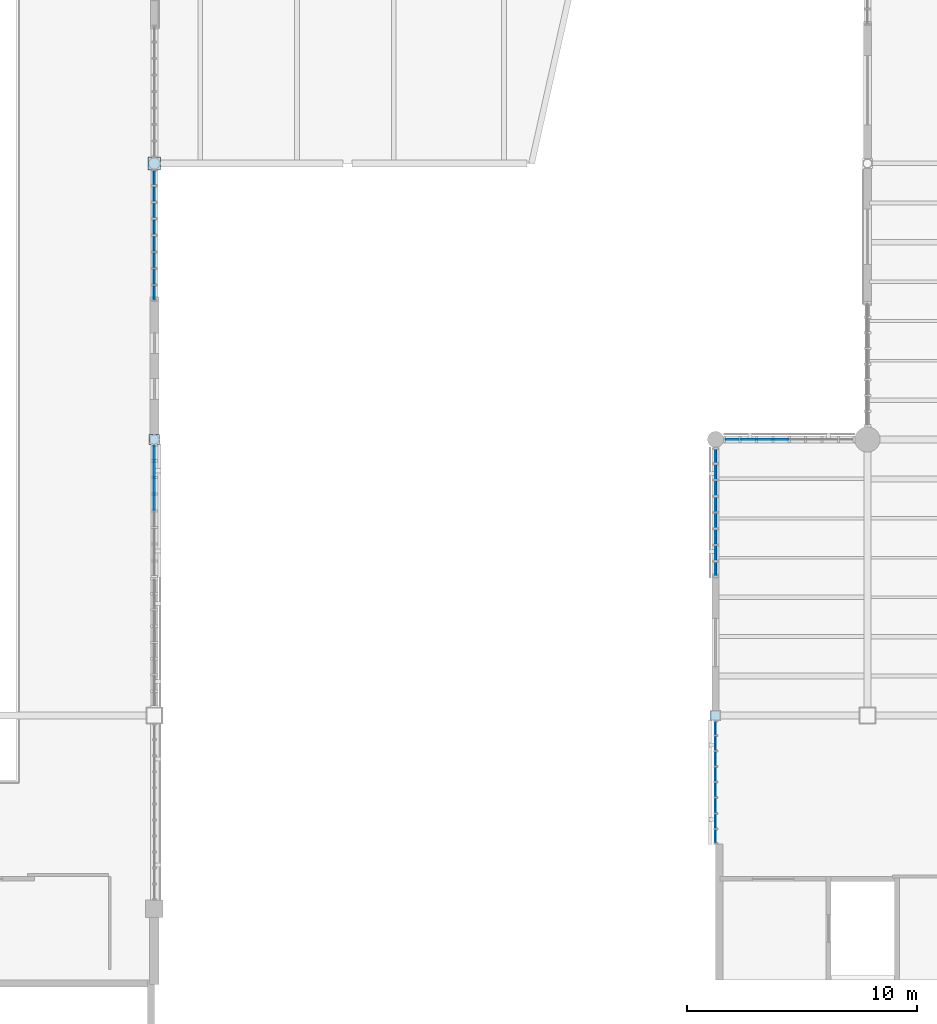
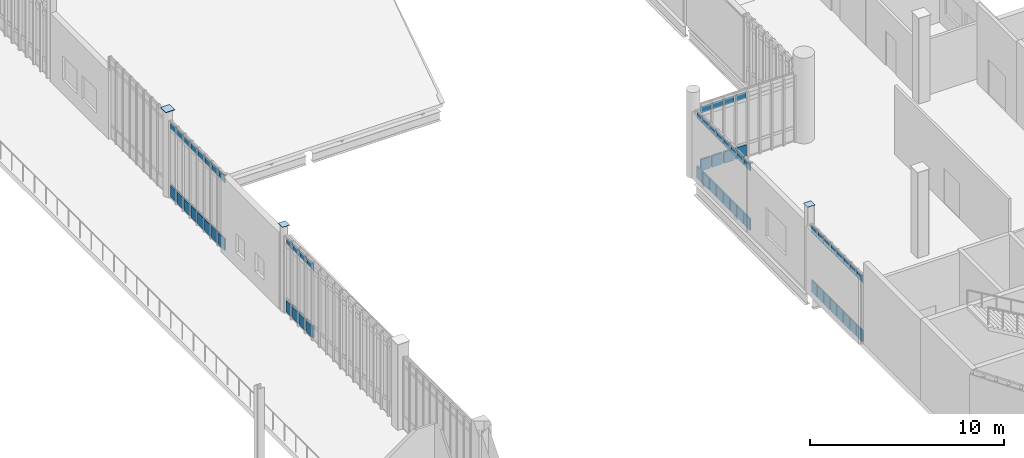
# One storey, part 96 of 135: 67 plates, 5 elements without a shape of their own.
"""IFC4 building model written with IfcOpenShell, lengths in metres."""

from ifc_helpers import new_model, si_unit, direction, frame, origin, origin_2d, place, context, subcontext, project, spatial, rectangle, extrude, material, layer, layer_set, type_object, element, aggregate, save


model = new_model("IFC4")

# Units and contexts
model_context = context("Model", 3, precision=1e-05, world=origin(), true_north=direction((0.0, 1.0)))
body_context = subcontext(model_context, "Body", "Model", "MODEL_VIEW")
ifc_project = project(units=[si_unit("LENGTHUNIT", "METRE"), si_unit("AREAUNIT", "SQUARE_METRE"), si_unit("VOLUMEUNIT", "CUBIC_METRE"), si_unit("PLANEANGLEUNIT", "RADIAN"), si_unit("MASSUNIT", "GRAM", prefix="KILO")], contexts=[model_context])

# Site, building, storey
site_placement = place(None, origin())
site = spatial("IfcSite", under=ifc_project, at=site_placement, CompositionType="ELEMENT")
building_placement = place(site_placement, origin())
building = spatial("IfcBuilding", under=site, at=building_placement, Name="Larkvane Passage Sports Hall", CompositionType="ELEMENT")
storey_placement = place(building_placement, frame((0.0, 0.0, 16.800048828125)))
storey = spatial("IfcBuildingStorey", under=building, at=storey_placement, Name="L03", CompositionType="ELEMENT", Elevation=16.800048828125)

# Curtain wall, plates
ifc_material_1 = material(Name="Thermally broken aluminium and low-E glazing", Category="aluminium")
curtain_wall_type_1 = type_object("IfcCurtainWallType", Name="CW-STICK-FOYER", PredefinedType="USERDEFINED", material=ifc_material_1)
curtain_wall_1_placement = place(storey_placement, origin())
curtain_wall_1 = element("IfcCurtainWall", 1, at=curtain_wall_1_placement, inside=storey, type_object=curtain_wall_type_1, Name="Curtain wall CW5-L03-122", ObjectType="STICK CURTAIN WALL", PredefinedType="USERDEFINED")
ifc_material_2 = material(Name="Fire-stopped shadow-box spandrel panel")
ifc_layer_1 = layer(ifc_material_2, 0.10498046875)
ifc_layer_set_1 = layer_set([ifc_layer_1], Name="Fire-stopped shadow-box spandrel panel")
plate_type_1 = type_object("IfcPlateType", Name="CWP-SPD-105", PredefinedType="CURTAIN_PANEL", material=ifc_layer_set_1)
plate_1_placement = place(storey_placement, frame((118.725341796875, 51.60009765625, 0.08984375), z_axis=(0.0, 0.0, 1.0), x_axis=(1.0, 0.0, 0.0)))
plate_1 = element("IfcPlate", 2, at=plate_1_placement, type_object=plate_type_1, Name="CW-03 panel 1.1", PredefinedType="CURTAIN_PANEL", context=body_context, shape_type="SweptSolid", body=[
    extrude(rectangle(XDim=0.57861328125, YDim=0.10498046875, at=origin_2d()), origin(), (0.0, 0.0, 1.0), 0.715087890625),
])
plate_2_placement = place(storey_placement, frame((119.416259765625, 51.60009765625, 0.08984375), z_axis=(0.0, 0.0, 1.0), x_axis=(1.0, 0.0, 0.0)))
plate_2 = element("IfcPlate", 3, at=plate_2_placement, type_object=plate_type_1, Name="CW-03 panel 2.1", PredefinedType="CURTAIN_PANEL", context=body_context, shape_type="SweptSolid", body=[
    extrude(rectangle(XDim=0.62353515625, YDim=0.10498046875, at=origin_2d()), origin(), (0.0, 0.0, 1.0), 0.715087890625),
])
plate_3_placement = place(storey_placement, frame((120.129638671875, 51.60009765625, 0.08984375), z_axis=(0.0, 0.0, 1.0), x_axis=(1.0, 0.0, 0.0)))
plate_3 = element("IfcPlate", 4, at=plate_3_placement, type_object=plate_type_1, Name="CW-03 panel 3.1", PredefinedType="CURTAIN_PANEL", context=body_context, shape_type="SweptSolid", body=[
    extrude(rectangle(XDim=0.62353515625, YDim=0.10498046875, at=origin_2d()), origin(), (0.0, 0.0, 1.0), 0.715087890625),
])
plate_4_placement = place(storey_placement, frame((120.84326171875, 51.60009765625, 0.08984375), z_axis=(0.0, 0.0, 1.0), x_axis=(1.0, 0.0, 0.0)))
plate_4 = element("IfcPlate", 5, at=plate_4_placement, type_object=plate_type_1, Name="CW-03 panel 4.1", PredefinedType="CURTAIN_PANEL", context=body_context, shape_type="SweptSolid", body=[
    extrude(rectangle(XDim=0.62353515625, YDim=0.10498046875, at=origin_2d()), origin(), (0.0, 0.0, 1.0), 0.715087890625),
])

curtain_wall_2_placement = place(storey_placement, origin())
curtain_wall_2 = element("IfcCurtainWall", 6, at=curtain_wall_2_placement, inside=storey, type_object=curtain_wall_type_1, Name="Curtain wall CW5-L03-146", ObjectType="STICK CURTAIN WALL", PredefinedType="USERDEFINED")
plate_5_placement = place(storey_placement, frame((93.60009765625, 51.015869140625, 0.08984375), z_axis=(0.0, 0.0, 1.0), x_axis=(0.0, -1.0, 0.0)))
plate_5 = element("IfcPlate", 7, at=plate_5_placement, type_object=plate_type_1, Name="CW-03 panel 1.1", PredefinedType="CURTAIN_PANEL", context=body_context, shape_type="SweptSolid", body=[
    extrude(rectangle(XDim=0.590087890625, YDim=0.10498046875, at=origin_2d()), origin(), (0.0, 0.0, 1.0), 0.715087890625),
])
plate_6_placement = place(storey_placement, frame((93.60009765625, 50.313232421875, 0.08984375), z_axis=(0.0, 0.0, 1.0), x_axis=(0.0, -1.0, 0.0)))
plate_6 = element("IfcPlate", 8, at=plate_6_placement, type_object=plate_type_1, Name="CW-03 panel 2.1", PredefinedType="CURTAIN_PANEL", context=body_context, shape_type="SweptSolid", body=[
    extrude(rectangle(XDim=0.635009765625, YDim=0.10498046875, at=origin_2d()), origin(), (0.0, 0.0, 1.0), 0.715087890625),
])
plate_7_placement = place(storey_placement, frame((93.60009765625, 49.588134765625, 0.08984375), z_axis=(0.0, 0.0, 1.0), x_axis=(0.0, -1.0, 0.0)))
plate_7 = element("IfcPlate", 9, at=plate_7_placement, type_object=plate_type_1, Name="CW-03 panel 3.1", PredefinedType="CURTAIN_PANEL", context=body_context, shape_type="SweptSolid", body=[
    extrude(rectangle(XDim=0.635009765625, YDim=0.10498046875, at=origin_2d()), origin(), (0.0, 0.0, 1.0), 0.715087890625),
])
plate_8_placement = place(storey_placement, frame((93.60009765625, 48.863037109375, 0.08984375), z_axis=(0.0, 0.0, 1.0), x_axis=(0.0, -1.0, 0.0)))
plate_8 = element("IfcPlate", 10, at=plate_8_placement, type_object=plate_type_1, Name="CW-03 panel 4.1", PredefinedType="CURTAIN_PANEL", context=body_context, shape_type="SweptSolid", body=[
    extrude(rectangle(XDim=0.635009765625, YDim=0.10498046875, at=origin_2d()), origin(), (0.0, 0.0, 1.0), 0.715087890625),
])

curtain_wall_type_2 = type_object("IfcCurtainWallType", Name="CW-UNIT-COURT", PredefinedType="USERDEFINED", material=ifc_material_1)
curtain_wall_3_placement = place(storey_placement, origin())
curtain_wall_3 = element("IfcCurtainWall", 11, at=curtain_wall_3_placement, inside=storey, type_object=curtain_wall_type_2, Name="Curtain wall CW5-L03-120", ObjectType="UNITISED CURTAIN WALL", PredefinedType="USERDEFINED")
ifc_material_3 = material(Name="Insulated aluminium spandrel panel", Category="aluminium")
ifc_layer_2 = layer(ifc_material_3, 0.06494140625)
ifc_layer_set_2 = layer_set([ifc_layer_2], Name="Insulated aluminium spandrel panel")
plate_type_2 = type_object("IfcPlateType", Name="CWP-SPD-65", PredefinedType="CURTAIN_PANEL", material=ifc_layer_set_2)
plate_9_placement = place(storey_placement, frame((118.0, 34.35400390625, 0.06494140625), z_axis=(0.0, 0.0, 1.0), x_axis=(0.0, 1.0, 0.0)))
plate_9 = element("IfcPlate", 12, at=plate_9_placement, type_object=plate_type_2, Name="CW-01 panel 1.1", PredefinedType="CURTAIN_PANEL", context=body_context, shape_type="SweptSolid", body=[
    extrude(rectangle(XDim=0.577880859375, YDim=0.06494140625, at=origin_2d()), origin(), (0.0, 0.0, 1.0), 0.75244140625),
])
plate_10_placement = place(storey_placement, frame((118.0, 35.01318359375, 0.06494140625), z_axis=(0.0, 0.0, 1.0), x_axis=(0.0, 1.0, 0.0)))
plate_10 = element("IfcPlate", 13, at=plate_10_placement, type_object=plate_type_2, Name="CW-01 panel 2.1", PredefinedType="CURTAIN_PANEL", context=body_context, shape_type="SweptSolid", body=[
    extrude(rectangle(XDim=0.610595703125, YDim=0.06494140625, at=origin_2d()), origin(), (0.0, 0.0, 1.0), 0.75244140625),
])
plate_11_placement = place(storey_placement, frame((118.0, 35.688720703125, 0.06494140625), z_axis=(0.0, 0.0, 1.0), x_axis=(0.0, 1.0, 0.0)))
plate_11 = element("IfcPlate", 14, at=plate_11_placement, type_object=plate_type_2, Name="CW-01 panel 3.1", PredefinedType="CURTAIN_PANEL", context=body_context, shape_type="SweptSolid", body=[
    extrude(rectangle(XDim=0.610595703125, YDim=0.06494140625, at=origin_2d()), origin(), (0.0, 0.0, 1.0), 0.75244140625),
])
plate_12_placement = place(storey_placement, frame((118.0, 36.3642578125, 0.06494140625), z_axis=(0.0, 0.0, 1.0), x_axis=(0.0, 1.0, 0.0)))
plate_12 = element("IfcPlate", 15, at=plate_12_placement, type_object=plate_type_2, Name="CW-01 panel 4.1", PredefinedType="CURTAIN_PANEL", context=body_context, shape_type="SweptSolid", body=[
    extrude(rectangle(XDim=0.610595703125, YDim=0.06494140625, at=origin_2d()), origin(), (0.0, 0.0, 1.0), 0.75244140625),
])
plate_13_placement = place(storey_placement, frame((118.0, 37.039794921875, 0.06494140625), z_axis=(0.0, 0.0, 1.0), x_axis=(0.0, 1.0, 0.0)))
plate_13 = element("IfcPlate", 16, at=plate_13_placement, type_object=plate_type_2, Name="CW-01 panel 5.1", PredefinedType="CURTAIN_PANEL", context=body_context, shape_type="SweptSolid", body=[
    extrude(rectangle(XDim=0.610595703125, YDim=0.06494140625, at=origin_2d()), origin(), (0.0, 0.0, 1.0), 0.75244140625),
])
plate_14_placement = place(storey_placement, frame((118.0, 37.71533203125, 0.06494140625), z_axis=(0.0, 0.0, 1.0), x_axis=(0.0, 1.0, 0.0)))
plate_14 = element("IfcPlate", 17, at=plate_14_placement, type_object=plate_type_2, Name="CW-01 panel 6.1", PredefinedType="CURTAIN_PANEL", context=body_context, shape_type="SweptSolid", body=[
    extrude(rectangle(XDim=0.610595703125, YDim=0.06494140625, at=origin_2d()), origin(), (0.0, 0.0, 1.0), 0.75244140625),
])
plate_15_placement = place(storey_placement, frame((118.0, 38.390869140625, 0.06494140625), z_axis=(0.0, 0.0, 1.0), x_axis=(0.0, 1.0, 0.0)))
plate_15 = element("IfcPlate", 18, at=plate_15_placement, type_object=plate_type_2, Name="CW-01 panel 7.1", PredefinedType="CURTAIN_PANEL", context=body_context, shape_type="SweptSolid", body=[
    extrude(rectangle(XDim=0.610595703125, YDim=0.06494140625, at=origin_2d()), origin(), (0.0, 0.0, 1.0), 0.75244140625),
])
plate_16_placement = place(storey_placement, frame((118.0, 39.050048828125, 0.06494140625), z_axis=(0.0, 0.0, 1.0), x_axis=(0.0, 1.0, 0.0)))
plate_16 = element("IfcPlate", 19, at=plate_16_placement, type_object=plate_type_2, Name="CW-01 panel 8.1", PredefinedType="CURTAIN_PANEL", context=body_context, shape_type="SweptSolid", body=[
    extrude(rectangle(XDim=0.577880859375, YDim=0.06494140625, at=origin_2d()), origin(), (0.0, 0.0, 1.0), 0.75244140625),
])

curtain_wall_type_3 = type_object("IfcCurtainWallType", Name="CW-UNIT-VEIL", PredefinedType="USERDEFINED", material=ifc_material_1)
curtain_wall_4_placement = place(storey_placement, origin())
curtain_wall_4 = element("IfcCurtainWall", 20, at=curtain_wall_4_placement, inside=storey, type_object=curtain_wall_type_3, Name="Curtain wall CW5-L03-121", ObjectType="UNITISED CURTAIN WALL", PredefinedType="USERDEFINED")
ifc_material_4 = material(Name="Mineral-wool insulated spandrel cassette")
ifc_layer_3 = layer(ifc_material_4, 0.0849609375)
ifc_layer_set_3 = layer_set([ifc_layer_3], Name="Mineral-wool insulated spandrel cassette")
plate_type_3 = type_object("IfcPlateType", Name="CWP-SPD-85", PredefinedType="CURTAIN_PANEL", material=ifc_layer_set_3)
plate_17_placement = place(storey_placement, frame((118.0, 45.97216796875, 0.07470703125), z_axis=(0.0, 0.0, 1.0), x_axis=(0.0, 1.0, 0.0)))
plate_17 = element("IfcPlate", 21, at=plate_17_placement, type_object=plate_type_3, Name="CW-02 panel 1.1", PredefinedType="CURTAIN_PANEL", context=body_context, shape_type="SweptSolid", body=[
    extrude(rectangle(XDim=0.59423828125, YDim=0.0849609375, at=origin_2d()), origin(), (0.0, 0.0, 1.0), 0.737548828125),
])
plate_18_placement = place(storey_placement, frame((118.0, 46.66015625, 0.07470703125), z_axis=(0.0, 0.0, 1.0), x_axis=(0.0, 1.0, 0.0)))
plate_18 = element("IfcPlate", 22, at=plate_18_placement, type_object=plate_type_3, Name="CW-02 panel 2.1", PredefinedType="CURTAIN_PANEL", context=body_context, shape_type="SweptSolid", body=[
    extrude(rectangle(XDim=0.6318359375, YDim=0.0849609375, at=origin_2d()), origin(), (0.0, 0.0, 1.0), 0.737548828125),
])
plate_19_placement = place(storey_placement, frame((118.0, 47.366943359375, 0.07470703125), z_axis=(0.0, 0.0, 1.0), x_axis=(0.0, 1.0, 0.0)))
plate_19 = element("IfcPlate", 23, at=plate_19_placement, type_object=plate_type_3, Name="CW-02 panel 3.1", PredefinedType="CURTAIN_PANEL", context=body_context, shape_type="SweptSolid", body=[
    extrude(rectangle(XDim=0.6318359375, YDim=0.0849609375, at=origin_2d()), origin(), (0.0, 0.0, 1.0), 0.737548828125),
])
plate_20_placement = place(storey_placement, frame((118.0, 48.07373046875, 0.07470703125), z_axis=(0.0, 0.0, 1.0), x_axis=(0.0, 1.0, 0.0)))
plate_20 = element("IfcPlate", 24, at=plate_20_placement, type_object=plate_type_3, Name="CW-02 panel 4.1", PredefinedType="CURTAIN_PANEL", context=body_context, shape_type="SweptSolid", body=[
    extrude(rectangle(XDim=0.6318359375, YDim=0.0849609375, at=origin_2d()), origin(), (0.0, 0.0, 1.0), 0.737548828125),
])
plate_21_placement = place(storey_placement, frame((118.0, 48.7802734375, 0.07470703125), z_axis=(0.0, 0.0, 1.0), x_axis=(0.0, 1.0, 0.0)))
plate_21 = element("IfcPlate", 25, at=plate_21_placement, type_object=plate_type_3, Name="CW-02 panel 5.1", PredefinedType="CURTAIN_PANEL", context=body_context, shape_type="SweptSolid", body=[
    extrude(rectangle(XDim=0.6318359375, YDim=0.0849609375, at=origin_2d()), origin(), (0.0, 0.0, 1.0), 0.737548828125),
])
plate_22_placement = place(storey_placement, frame((118.0, 49.487060546875, 0.07470703125), z_axis=(0.0, 0.0, 1.0), x_axis=(0.0, 1.0, 0.0)))
plate_22 = element("IfcPlate", 26, at=plate_22_placement, type_object=plate_type_3, Name="CW-02 panel 6.1", PredefinedType="CURTAIN_PANEL", context=body_context, shape_type="SweptSolid", body=[
    extrude(rectangle(XDim=0.6318359375, YDim=0.0849609375, at=origin_2d()), origin(), (0.0, 0.0, 1.0), 0.737548828125),
])
plate_23_placement = place(storey_placement, frame((118.0, 50.19384765625, 0.07470703125), z_axis=(0.0, 0.0, 1.0), x_axis=(0.0, 1.0, 0.0)))
plate_23 = element("IfcPlate", 27, at=plate_23_placement, type_object=plate_type_3, Name="CW-02 panel 7.1", PredefinedType="CURTAIN_PANEL", context=body_context, shape_type="SweptSolid", body=[
    extrude(rectangle(XDim=0.6318359375, YDim=0.0849609375, at=origin_2d()), origin(), (0.0, 0.0, 1.0), 0.737548828125),
])
plate_24_placement = place(storey_placement, frame((118.0, 50.8818359375, 0.07470703125), z_axis=(0.0, 0.0, 1.0), x_axis=(0.0, 1.0, 0.0)))
plate_24 = element("IfcPlate", 28, at=plate_24_placement, type_object=plate_type_3, Name="CW-02 panel 8.1", PredefinedType="CURTAIN_PANEL", context=body_context, shape_type="SweptSolid", body=[
    extrude(rectangle(XDim=0.59423828125, YDim=0.0849609375, at=origin_2d()), origin(), (0.0, 0.0, 1.0), 0.737548828125),
])

curtain_wall_5_placement = place(storey_placement, origin())
curtain_wall_5 = element("IfcCurtainWall", 29, at=curtain_wall_5_placement, inside=storey, type_object=curtain_wall_type_3, Name="Curtain wall CW5-L03-145", ObjectType="UNITISED CURTAIN WALL", PredefinedType="USERDEFINED")
plate_25_placement = place(storey_placement, frame((93.60009765625, 62.971923828125, 0.07470703125), z_axis=(0.0, 0.0, 1.0), x_axis=(0.0, -1.0, 0.0)))
plate_25 = element("IfcPlate", 30, at=plate_25_placement, type_object=plate_type_3, Name="CW-02 panel 1.1", PredefinedType="CURTAIN_PANEL", context=body_context, shape_type="SweptSolid", body=[
    extrude(rectangle(XDim=0.606201171875, YDim=0.0849609375, at=origin_2d()), origin(), (0.0, 0.0, 1.0), 0.737548828125),
])
plate_26_placement = place(storey_placement, frame((93.60009765625, 62.27197265625, 0.07470703125), z_axis=(0.0, 0.0, 1.0), x_axis=(0.0, -1.0, 0.0)))
plate_26 = element("IfcPlate", 31, at=plate_26_placement, type_object=plate_type_3, Name="CW-02 panel 2.1", PredefinedType="CURTAIN_PANEL", context=body_context, shape_type="SweptSolid", body=[
    extrude(rectangle(XDim=0.643798828125, YDim=0.0849609375, at=origin_2d()), origin(), (0.0, 0.0, 1.0), 0.737548828125),
])
plate_27_placement = place(storey_placement, frame((93.60009765625, 61.55322265625, 0.07470703125), z_axis=(0.0, 0.0, 1.0), x_axis=(0.0, -1.0, 0.0)))
plate_27 = element("IfcPlate", 32, at=plate_27_placement, type_object=plate_type_3, Name="CW-02 panel 3.1", PredefinedType="CURTAIN_PANEL", context=body_context, shape_type="SweptSolid", body=[
    extrude(rectangle(XDim=0.643798828125, YDim=0.0849609375, at=origin_2d()), origin(), (0.0, 0.0, 1.0), 0.737548828125),
])
plate_28_placement = place(storey_placement, frame((93.60009765625, 60.83447265625, 0.07470703125), z_axis=(0.0, 0.0, 1.0), x_axis=(0.0, -1.0, 0.0)))
plate_28 = element("IfcPlate", 33, at=plate_28_placement, type_object=plate_type_3, Name="CW-02 panel 4.1", PredefinedType="CURTAIN_PANEL", context=body_context, shape_type="SweptSolid", body=[
    extrude(rectangle(XDim=0.643798828125, YDim=0.0849609375, at=origin_2d()), origin(), (0.0, 0.0, 1.0), 0.737548828125),
])
plate_29_placement = place(storey_placement, frame((93.60009765625, 60.11572265625, 0.07470703125), z_axis=(0.0, 0.0, 1.0), x_axis=(0.0, -1.0, 0.0)))
plate_29 = element("IfcPlate", 34, at=plate_29_placement, type_object=plate_type_3, Name="CW-02 panel 5.1", PredefinedType="CURTAIN_PANEL", context=body_context, shape_type="SweptSolid", body=[
    extrude(rectangle(XDim=0.643798828125, YDim=0.0849609375, at=origin_2d()), origin(), (0.0, 0.0, 1.0), 0.737548828125),
])
plate_30_placement = place(storey_placement, frame((93.60009765625, 59.39697265625, 0.07470703125), z_axis=(0.0, 0.0, 1.0), x_axis=(0.0, -1.0, 0.0)))
plate_30 = element("IfcPlate", 35, at=plate_30_placement, type_object=plate_type_3, Name="CW-02 panel 6.1", PredefinedType="CURTAIN_PANEL", context=body_context, shape_type="SweptSolid", body=[
    extrude(rectangle(XDim=0.643798828125, YDim=0.0849609375, at=origin_2d()), origin(), (0.0, 0.0, 1.0), 0.737548828125),
])
plate_31_placement = place(storey_placement, frame((93.60009765625, 58.67822265625, 0.07470703125), z_axis=(0.0, 0.0, 1.0), x_axis=(0.0, -1.0, 0.0)))
plate_31 = element("IfcPlate", 36, at=plate_31_placement, type_object=plate_type_3, Name="CW-02 panel 7.1", PredefinedType="CURTAIN_PANEL", context=body_context, shape_type="SweptSolid", body=[
    extrude(rectangle(XDim=0.643798828125, YDim=0.0849609375, at=origin_2d()), origin(), (0.0, 0.0, 1.0), 0.737548828125),
])
plate_32_placement = place(storey_placement, frame((93.60009765625, 57.97802734375, 0.07470703125), z_axis=(0.0, 0.0, 1.0), x_axis=(0.0, -1.0, 0.0)))
plate_32 = element("IfcPlate", 37, at=plate_32_placement, type_object=plate_type_3, Name="CW-02 panel 8.1", PredefinedType="CURTAIN_PANEL", context=body_context, shape_type="SweptSolid", body=[
    extrude(rectangle(XDim=0.606201171875, YDim=0.0849609375, at=origin_2d()), origin(), (0.0, 0.0, 1.0), 0.737548828125),
])

# Plate
ifc_material_5 = material(Name="Solar-control low-E double glazing", Category="glass")
ifc_layer_4 = layer(ifc_material_5, 0.028076171875)
ifc_layer_set_4 = layer_set([ifc_layer_4], Name="Solar-control low-E double glazing")
plate_type_4 = type_object("IfcPlateType", Name="CWP-VIS-28", PredefinedType="CURTAIN_PANEL", material=ifc_layer_set_4)
plate_33_placement = place(storey_placement, frame((118.0, 34.35400390625, 3.79833984375), z_axis=(0.0, 0.0, 1.0), x_axis=(0.0, 1.0, 0.0)))
plate_33 = element("IfcPlate", 38, at=plate_33_placement, type_object=plate_type_4, Name="CW-01 panel 1.3", PredefinedType="CURTAIN_PANEL", context=body_context, shape_type="SweptSolid", body=[
    extrude(rectangle(XDim=0.577880859375, YDim=0.028076171875, at=origin_2d()), origin(), (0.0, 0.0, 1.0), 0.452392578125),
])

plate_34_placement = place(storey_placement, frame((118.0, 35.01318359375, 3.79833984375), z_axis=(0.0, 0.0, 1.0), x_axis=(0.0, 1.0, 0.0)))
plate_34 = element("IfcPlate", 39, at=plate_34_placement, type_object=plate_type_4, Name="CW-01 panel 2.3", PredefinedType="CURTAIN_PANEL", context=body_context, shape_type="SweptSolid", body=[
    extrude(rectangle(XDim=0.610595703125, YDim=0.028076171875, at=origin_2d()), origin(), (0.0, 0.0, 1.0), 0.452392578125),
])

plate_35_placement = place(storey_placement, frame((118.0, 35.688720703125, 3.79833984375), z_axis=(0.0, 0.0, 1.0), x_axis=(0.0, 1.0, 0.0)))
plate_35 = element("IfcPlate", 40, at=plate_35_placement, type_object=plate_type_4, Name="CW-01 panel 3.3", PredefinedType="CURTAIN_PANEL", context=body_context, shape_type="SweptSolid", body=[
    extrude(rectangle(XDim=0.610595703125, YDim=0.028076171875, at=origin_2d()), origin(), (0.0, 0.0, 1.0), 0.452392578125),
])

plate_36_placement = place(storey_placement, frame((118.0, 36.3642578125, 3.79833984375), z_axis=(0.0, 0.0, 1.0), x_axis=(0.0, 1.0, 0.0)))
plate_36 = element("IfcPlate", 41, at=plate_36_placement, type_object=plate_type_4, Name="CW-01 panel 4.3", PredefinedType="CURTAIN_PANEL", context=body_context, shape_type="SweptSolid", body=[
    extrude(rectangle(XDim=0.610595703125, YDim=0.028076171875, at=origin_2d()), origin(), (0.0, 0.0, 1.0), 0.452392578125),
])

plate_37_placement = place(storey_placement, frame((118.0, 37.039794921875, 3.79833984375), z_axis=(0.0, 0.0, 1.0), x_axis=(0.0, 1.0, 0.0)))
plate_37 = element("IfcPlate", 42, at=plate_37_placement, type_object=plate_type_4, Name="CW-01 panel 5.3", PredefinedType="CURTAIN_PANEL", context=body_context, shape_type="SweptSolid", body=[
    extrude(rectangle(XDim=0.610595703125, YDim=0.028076171875, at=origin_2d()), origin(), (0.0, 0.0, 1.0), 0.452392578125),
])

plate_38_placement = place(storey_placement, frame((118.0, 37.71533203125, 3.79833984375), z_axis=(0.0, 0.0, 1.0), x_axis=(0.0, 1.0, 0.0)))
plate_38 = element("IfcPlate", 43, at=plate_38_placement, type_object=plate_type_4, Name="CW-01 panel 6.3", PredefinedType="CURTAIN_PANEL", context=body_context, shape_type="SweptSolid", body=[
    extrude(rectangle(XDim=0.610595703125, YDim=0.028076171875, at=origin_2d()), origin(), (0.0, 0.0, 1.0), 0.452392578125),
])

plate_39_placement = place(storey_placement, frame((118.0, 38.390869140625, 3.79833984375), z_axis=(0.0, 0.0, 1.0), x_axis=(0.0, 1.0, 0.0)))
plate_39 = element("IfcPlate", 44, at=plate_39_placement, type_object=plate_type_4, Name="CW-01 panel 7.3", PredefinedType="CURTAIN_PANEL", context=body_context, shape_type="SweptSolid", body=[
    extrude(rectangle(XDim=0.610595703125, YDim=0.028076171875, at=origin_2d()), origin(), (0.0, 0.0, 1.0), 0.452392578125),
])

plate_40_placement = place(storey_placement, frame((118.0, 39.050048828125, 3.79833984375), z_axis=(0.0, 0.0, 1.0), x_axis=(0.0, 1.0, 0.0)))
plate_40 = element("IfcPlate", 45, at=plate_40_placement, type_object=plate_type_4, Name="CW-01 panel 8.3", PredefinedType="CURTAIN_PANEL", context=body_context, shape_type="SweptSolid", body=[
    extrude(rectangle(XDim=0.577880859375, YDim=0.028076171875, at=origin_2d()), origin(), (0.0, 0.0, 1.0), 0.452392578125),
])

aggregate(curtain_wall_3, [plate_9, plate_33, plate_10, plate_34, plate_11, plate_35, plate_12, plate_36, plate_13, plate_37, plate_14, plate_38, plate_15, plate_39, plate_16, plate_40])

ifc_material_6 = material(Name="Laminated acoustic low-E glazing", Category="glass")
ifc_layer_5 = layer(ifc_material_6, 0.031982421875)
ifc_layer_set_5 = layer_set([ifc_layer_5], Name="Laminated acoustic low-E glazing")
plate_type_5 = type_object("IfcPlateType", Name="CWP-VIS-32", PredefinedType="CURTAIN_PANEL", material=ifc_layer_set_5)
plate_41_placement = place(storey_placement, frame((118.0, 45.97216796875, 3.803466796875), z_axis=(0.0, 0.0, 1.0), x_axis=(0.0, 1.0, 0.0)))
plate_41 = element("IfcPlate", 46, at=plate_41_placement, type_object=plate_type_5, Name="CW-02 panel 1.3", PredefinedType="CURTAIN_PANEL", context=body_context, shape_type="SweptSolid", body=[
    extrude(rectangle(XDim=0.59423828125, YDim=0.031982421875, at=origin_2d()), origin(), (0.0, 0.0, 1.0), 0.4375),
])

plate_42_placement = place(storey_placement, frame((118.0, 46.66015625, 3.803466796875), z_axis=(0.0, 0.0, 1.0), x_axis=(0.0, 1.0, 0.0)))
plate_42 = element("IfcPlate", 47, at=plate_42_placement, type_object=plate_type_5, Name="CW-02 panel 2.3", PredefinedType="CURTAIN_PANEL", context=body_context, shape_type="SweptSolid", body=[
    extrude(rectangle(XDim=0.6318359375, YDim=0.031982421875, at=origin_2d()), origin(), (0.0, 0.0, 1.0), 0.4375),
])

plate_43_placement = place(storey_placement, frame((118.0, 47.366943359375, 3.803466796875), z_axis=(0.0, 0.0, 1.0), x_axis=(0.0, 1.0, 0.0)))
plate_43 = element("IfcPlate", 48, at=plate_43_placement, type_object=plate_type_5, Name="CW-02 panel 3.3", PredefinedType="CURTAIN_PANEL", context=body_context, shape_type="SweptSolid", body=[
    extrude(rectangle(XDim=0.6318359375, YDim=0.031982421875, at=origin_2d()), origin(), (0.0, 0.0, 1.0), 0.4375),
])

plate_44_placement = place(storey_placement, frame((118.0, 48.07373046875, 3.803466796875), z_axis=(0.0, 0.0, 1.0), x_axis=(0.0, 1.0, 0.0)))
plate_44 = element("IfcPlate", 49, at=plate_44_placement, type_object=plate_type_5, Name="CW-02 panel 4.3", PredefinedType="CURTAIN_PANEL", context=body_context, shape_type="SweptSolid", body=[
    extrude(rectangle(XDim=0.6318359375, YDim=0.031982421875, at=origin_2d()), origin(), (0.0, 0.0, 1.0), 0.4375),
])

plate_45_placement = place(storey_placement, frame((118.0, 48.7802734375, 3.803466796875), z_axis=(0.0, 0.0, 1.0), x_axis=(0.0, 1.0, 0.0)))
plate_45 = element("IfcPlate", 50, at=plate_45_placement, type_object=plate_type_5, Name="CW-02 panel 5.3", PredefinedType="CURTAIN_PANEL", context=body_context, shape_type="SweptSolid", body=[
    extrude(rectangle(XDim=0.6318359375, YDim=0.031982421875, at=origin_2d()), origin(), (0.0, 0.0, 1.0), 0.4375),
])

plate_46_placement = place(storey_placement, frame((118.0, 49.487060546875, 3.803466796875), z_axis=(0.0, 0.0, 1.0), x_axis=(0.0, 1.0, 0.0)))
plate_46 = element("IfcPlate", 51, at=plate_46_placement, type_object=plate_type_5, Name="CW-02 panel 6.3", PredefinedType="CURTAIN_PANEL", context=body_context, shape_type="SweptSolid", body=[
    extrude(rectangle(XDim=0.6318359375, YDim=0.031982421875, at=origin_2d()), origin(), (0.0, 0.0, 1.0), 0.4375),
])

plate_47_placement = place(storey_placement, frame((118.0, 50.19384765625, 3.803466796875), z_axis=(0.0, 0.0, 1.0), x_axis=(0.0, 1.0, 0.0)))
plate_47 = element("IfcPlate", 52, at=plate_47_placement, type_object=plate_type_5, Name="CW-02 panel 7.3", PredefinedType="CURTAIN_PANEL", context=body_context, shape_type="SweptSolid", body=[
    extrude(rectangle(XDim=0.6318359375, YDim=0.031982421875, at=origin_2d()), origin(), (0.0, 0.0, 1.0), 0.4375),
])

plate_48_placement = place(storey_placement, frame((118.0, 50.8818359375, 3.803466796875), z_axis=(0.0, 0.0, 1.0), x_axis=(0.0, 1.0, 0.0)))
plate_48 = element("IfcPlate", 53, at=plate_48_placement, type_object=plate_type_5, Name="CW-02 panel 8.3", PredefinedType="CURTAIN_PANEL", context=body_context, shape_type="SweptSolid", body=[
    extrude(rectangle(XDim=0.59423828125, YDim=0.031982421875, at=origin_2d()), origin(), (0.0, 0.0, 1.0), 0.4375),
])

aggregate(curtain_wall_4, [plate_17, plate_41, plate_18, plate_42, plate_19, plate_43, plate_20, plate_44, plate_21, plate_45, plate_22, plate_46, plate_23, plate_47, plate_24, plate_48])

plate_49_placement = place(storey_placement, frame((93.60009765625, 62.971923828125, 4.33056640625), z_axis=(0.0, 0.0, 1.0), x_axis=(0.0, -1.0, 0.0)))
plate_49 = element("IfcPlate", 54, at=plate_49_placement, type_object=plate_type_5, Name="CW-02 panel 1.3", PredefinedType="CURTAIN_PANEL", context=body_context, shape_type="SweptSolid", body=[
    extrude(rectangle(XDim=0.606201171875, YDim=0.031982421875, at=origin_2d()), origin(), (0.0, 0.0, 1.0), 0.4375),
])

plate_50_placement = place(storey_placement, frame((93.60009765625, 62.27197265625, 4.33056640625), z_axis=(0.0, 0.0, 1.0), x_axis=(0.0, -1.0, 0.0)))
plate_50 = element("IfcPlate", 55, at=plate_50_placement, type_object=plate_type_5, Name="CW-02 panel 2.3", PredefinedType="CURTAIN_PANEL", context=body_context, shape_type="SweptSolid", body=[
    extrude(rectangle(XDim=0.643798828125, YDim=0.031982421875, at=origin_2d()), origin(), (0.0, 0.0, 1.0), 0.4375),
])

plate_51_placement = place(storey_placement, frame((93.60009765625, 61.55322265625, 4.33056640625), z_axis=(0.0, 0.0, 1.0), x_axis=(0.0, -1.0, 0.0)))
plate_51 = element("IfcPlate", 56, at=plate_51_placement, type_object=plate_type_5, Name="CW-02 panel 3.3", PredefinedType="CURTAIN_PANEL", context=body_context, shape_type="SweptSolid", body=[
    extrude(rectangle(XDim=0.643798828125, YDim=0.031982421875, at=origin_2d()), origin(), (0.0, 0.0, 1.0), 0.4375),
])

plate_52_placement = place(storey_placement, frame((93.60009765625, 60.83447265625, 4.33056640625), z_axis=(0.0, 0.0, 1.0), x_axis=(0.0, -1.0, 0.0)))
plate_52 = element("IfcPlate", 57, at=plate_52_placement, type_object=plate_type_5, Name="CW-02 panel 4.3", PredefinedType="CURTAIN_PANEL", context=body_context, shape_type="SweptSolid", body=[
    extrude(rectangle(XDim=0.643798828125, YDim=0.031982421875, at=origin_2d()), origin(), (0.0, 0.0, 1.0), 0.4375),
])

plate_53_placement = place(storey_placement, frame((93.60009765625, 60.11572265625, 4.33056640625), z_axis=(0.0, 0.0, 1.0), x_axis=(0.0, -1.0, 0.0)))
plate_53 = element("IfcPlate", 58, at=plate_53_placement, type_object=plate_type_5, Name="CW-02 panel 5.3", PredefinedType="CURTAIN_PANEL", context=body_context, shape_type="SweptSolid", body=[
    extrude(rectangle(XDim=0.643798828125, YDim=0.031982421875, at=origin_2d()), origin(), (0.0, 0.0, 1.0), 0.4375),
])

plate_54_placement = place(storey_placement, frame((93.60009765625, 59.39697265625, 4.33056640625), z_axis=(0.0, 0.0, 1.0), x_axis=(0.0, -1.0, 0.0)))
plate_54 = element("IfcPlate", 59, at=plate_54_placement, type_object=plate_type_5, Name="CW-02 panel 6.3", PredefinedType="CURTAIN_PANEL", context=body_context, shape_type="SweptSolid", body=[
    extrude(rectangle(XDim=0.643798828125, YDim=0.031982421875, at=origin_2d()), origin(), (0.0, 0.0, 1.0), 0.4375),
])

plate_55_placement = place(storey_placement, frame((93.60009765625, 58.67822265625, 4.33056640625), z_axis=(0.0, 0.0, 1.0), x_axis=(0.0, -1.0, 0.0)))
plate_55 = element("IfcPlate", 60, at=plate_55_placement, type_object=plate_type_5, Name="CW-02 panel 7.3", PredefinedType="CURTAIN_PANEL", context=body_context, shape_type="SweptSolid", body=[
    extrude(rectangle(XDim=0.643798828125, YDim=0.031982421875, at=origin_2d()), origin(), (0.0, 0.0, 1.0), 0.4375),
])

plate_56_placement = place(storey_placement, frame((93.60009765625, 57.97802734375, 4.33056640625), z_axis=(0.0, 0.0, 1.0), x_axis=(0.0, -1.0, 0.0)))
plate_56 = element("IfcPlate", 61, at=plate_56_placement, type_object=plate_type_5, Name="CW-02 panel 8.3", PredefinedType="CURTAIN_PANEL", context=body_context, shape_type="SweptSolid", body=[
    extrude(rectangle(XDim=0.606201171875, YDim=0.031982421875, at=origin_2d()), origin(), (0.0, 0.0, 1.0), 0.4375),
])

aggregate(curtain_wall_5, [plate_25, plate_49, plate_26, plate_50, plate_27, plate_51, plate_28, plate_52, plate_29, plate_53, plate_30, plate_54, plate_31, plate_55, plate_32, plate_56])

ifc_material_7 = material(Name="High-impact court low-E glazing", Category="glass")
ifc_layer_6 = layer(ifc_material_7, 0.035888671875)
ifc_layer_set_6 = layer_set([ifc_layer_6], Name="High-impact court low-E glazing")
plate_type_6 = type_object("IfcPlateType", Name="CWP-VIS-36", PredefinedType="CURTAIN_PANEL", material=ifc_layer_set_6)
plate_57_placement = place(storey_placement, frame((118.725341796875, 51.60009765625, 3.7109375), z_axis=(0.0, 0.0, 1.0), x_axis=(1.0, 0.0, 0.0)))
plate_57 = element("IfcPlate", 62, at=plate_57_placement, type_object=plate_type_6, Name="CW-03 panel 1.3", PredefinedType="CURTAIN_PANEL", context=body_context, shape_type="SweptSolid", body=[
    extrude(rectangle(XDim=0.57861328125, YDim=0.035888671875, at=origin_2d()), origin(), (0.0, 0.0, 1.0), 0.4150390625),
])

plate_58_placement = place(storey_placement, frame((119.416259765625, 51.60009765625, 3.7109375), z_axis=(0.0, 0.0, 1.0), x_axis=(1.0, 0.0, 0.0)))
plate_58 = element("IfcPlate", 63, at=plate_58_placement, type_object=plate_type_6, Name="CW-03 panel 2.3", PredefinedType="CURTAIN_PANEL", context=body_context, shape_type="SweptSolid", body=[
    extrude(rectangle(XDim=0.62353515625, YDim=0.035888671875, at=origin_2d()), origin(), (0.0, 0.0, 1.0), 0.4150390625),
])

plate_59_placement = place(storey_placement, frame((120.129638671875, 51.60009765625, 3.7109375), z_axis=(0.0, 0.0, 1.0), x_axis=(1.0, 0.0, 0.0)))
plate_59 = element("IfcPlate", 64, at=plate_59_placement, type_object=plate_type_6, Name="CW-03 panel 3.3", PredefinedType="CURTAIN_PANEL", context=body_context, shape_type="SweptSolid", body=[
    extrude(rectangle(XDim=0.62353515625, YDim=0.035888671875, at=origin_2d()), origin(), (0.0, 0.0, 1.0), 0.4150390625),
])

plate_60_placement = place(storey_placement, frame((120.84326171875, 51.60009765625, 3.7109375), z_axis=(0.0, 0.0, 1.0), x_axis=(1.0, 0.0, 0.0)))
plate_60 = element("IfcPlate", 65, at=plate_60_placement, type_object=plate_type_6, Name="CW-03 panel 4.3", PredefinedType="CURTAIN_PANEL", context=body_context, shape_type="SweptSolid", body=[
    extrude(rectangle(XDim=0.62353515625, YDim=0.035888671875, at=origin_2d()), origin(), (0.0, 0.0, 1.0), 0.4150390625),
])

aggregate(curtain_wall_1, [plate_1, plate_57, plate_2, plate_58, plate_3, plate_59, plate_4, plate_60])

plate_61_placement = place(storey_placement, frame((93.60009765625, 51.015869140625, 4.337890625), z_axis=(0.0, 0.0, 1.0), x_axis=(0.0, -1.0, 0.0)))
plate_61 = element("IfcPlate", 66, at=plate_61_placement, type_object=plate_type_6, Name="CW-03 panel 1.3", PredefinedType="CURTAIN_PANEL", context=body_context, shape_type="SweptSolid", body=[
    extrude(rectangle(XDim=0.590087890625, YDim=0.035888671875, at=origin_2d()), origin(), (0.0, 0.0, 1.0), 0.4150390625),
])

plate_62_placement = place(storey_placement, frame((93.60009765625, 50.313232421875, 4.337890625), z_axis=(0.0, 0.0, 1.0), x_axis=(0.0, -1.0, 0.0)))
plate_62 = element("IfcPlate", 67, at=plate_62_placement, type_object=plate_type_6, Name="CW-03 panel 2.3", PredefinedType="CURTAIN_PANEL", context=body_context, shape_type="SweptSolid", body=[
    extrude(rectangle(XDim=0.635009765625, YDim=0.035888671875, at=origin_2d()), origin(), (0.0, 0.0, 1.0), 0.4150390625),
])

plate_63_placement = place(storey_placement, frame((93.60009765625, 49.588134765625, 4.337890625), z_axis=(0.0, 0.0, 1.0), x_axis=(0.0, -1.0, 0.0)))
plate_63 = element("IfcPlate", 68, at=plate_63_placement, type_object=plate_type_6, Name="CW-03 panel 3.3", PredefinedType="CURTAIN_PANEL", context=body_context, shape_type="SweptSolid", body=[
    extrude(rectangle(XDim=0.635009765625, YDim=0.035888671875, at=origin_2d()), origin(), (0.0, 0.0, 1.0), 0.4150390625),
])

plate_64_placement = place(storey_placement, frame((93.60009765625, 48.863037109375, 4.337890625), z_axis=(0.0, 0.0, 1.0), x_axis=(0.0, -1.0, 0.0)))
plate_64 = element("IfcPlate", 69, at=plate_64_placement, type_object=plate_type_6, Name="CW-03 panel 4.3", PredefinedType="CURTAIN_PANEL", context=body_context, shape_type="SweptSolid", body=[
    extrude(rectangle(XDim=0.635009765625, YDim=0.035888671875, at=origin_2d()), origin(), (0.0, 0.0, 1.0), 0.4150390625),
])

aggregate(curtain_wall_2, [plate_5, plate_61, plate_6, plate_62, plate_7, plate_63, plate_8, plate_64])

# Plates
ifc_material_8 = material(Name="Steel S460N", Category="steel")
ifc_layer_7 = layer(ifc_material_8, 0.02001953125)
ifc_layer_set_7 = layer_set([ifc_layer_7], Name="Steel S460N")
plate_type_7 = type_object("IfcPlateType", Name="PLT-CAP-20", PredefinedType="SHEET", material=ifc_layer_set_7)
plate_65_placement = place(storey_placement, frame((93.60009765625, 51.60009765625, 5.39990234375), z_axis=(0.0, 0.0, 1.0), x_axis=(1.0, 0.0, 0.0)))
element("IfcPlate", 70, at=plate_65_placement, inside=storey, type_object=plate_type_7, Name="Hollow section sealed end cap plate 0020", PredefinedType="SHEET", context=body_context, shape_type="SweptSolid", body=[
    extrude(rectangle(XDim=0.446044921875, YDim=0.446044921875, at=origin_2d()), origin(), (0.0, 0.0, 1.0), 0.02001953125),
])
plate_66_placement = place(storey_placement, frame((118.0, 39.60009765625, 5.39990234375), z_axis=(0.0, 0.0, 1.0), x_axis=(1.0, 0.0, 0.0)))
element("IfcPlate", 71, at=plate_66_placement, inside=storey, type_object=plate_type_7, Name="Hollow section sealed end cap plate 0022", PredefinedType="SHEET", context=body_context, shape_type="SweptSolid", body=[
    extrude(rectangle(XDim=0.43994140625, YDim=0.43994140625, at=origin_2d()), origin(), (0.0, 0.0, 1.0), 0.02001953125),
])
ifc_layer_8 = layer(ifc_material_8, 0.028076171875)
ifc_layer_set_8 = layer_set([ifc_layer_8], Name="Steel S460N")
plate_type_8 = type_object("IfcPlateType", Name="PLT-CAP-28", PredefinedType="SHEET", material=ifc_layer_set_8)
plate_67_placement = place(storey_placement, frame((93.60009765625, 63.60009765625, 5.39990234375), z_axis=(0.0, 0.0, 1.0), x_axis=(1.0, 0.0, 0.0)))
element("IfcPlate", 72, at=plate_67_placement, inside=storey, type_object=plate_type_8, Name="Hollow section sealed end cap plate 0021", PredefinedType="SHEET", context=body_context, shape_type="SweptSolid", body=[
    extrude(rectangle(XDim=0.548095703125, YDim=0.548095703125, at=origin_2d()), origin(), (0.0, 0.0, 1.0), 0.028076171875),
])

save(model, "model.ifc")
